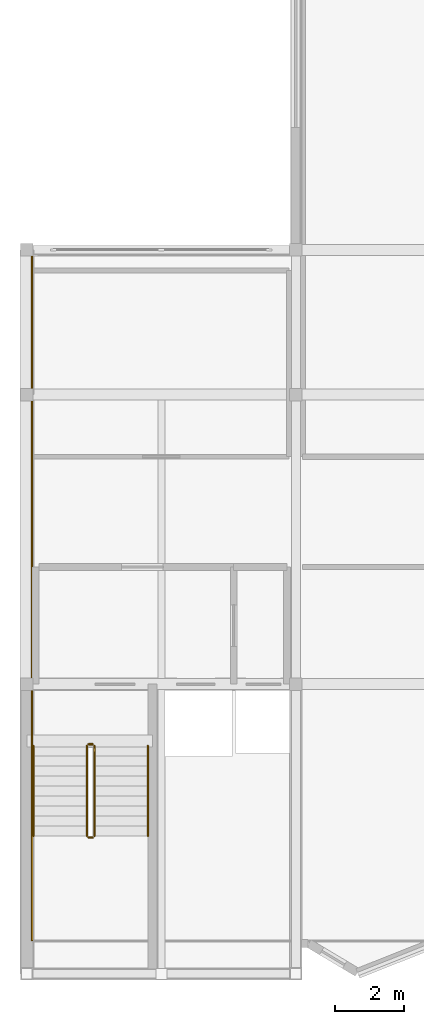
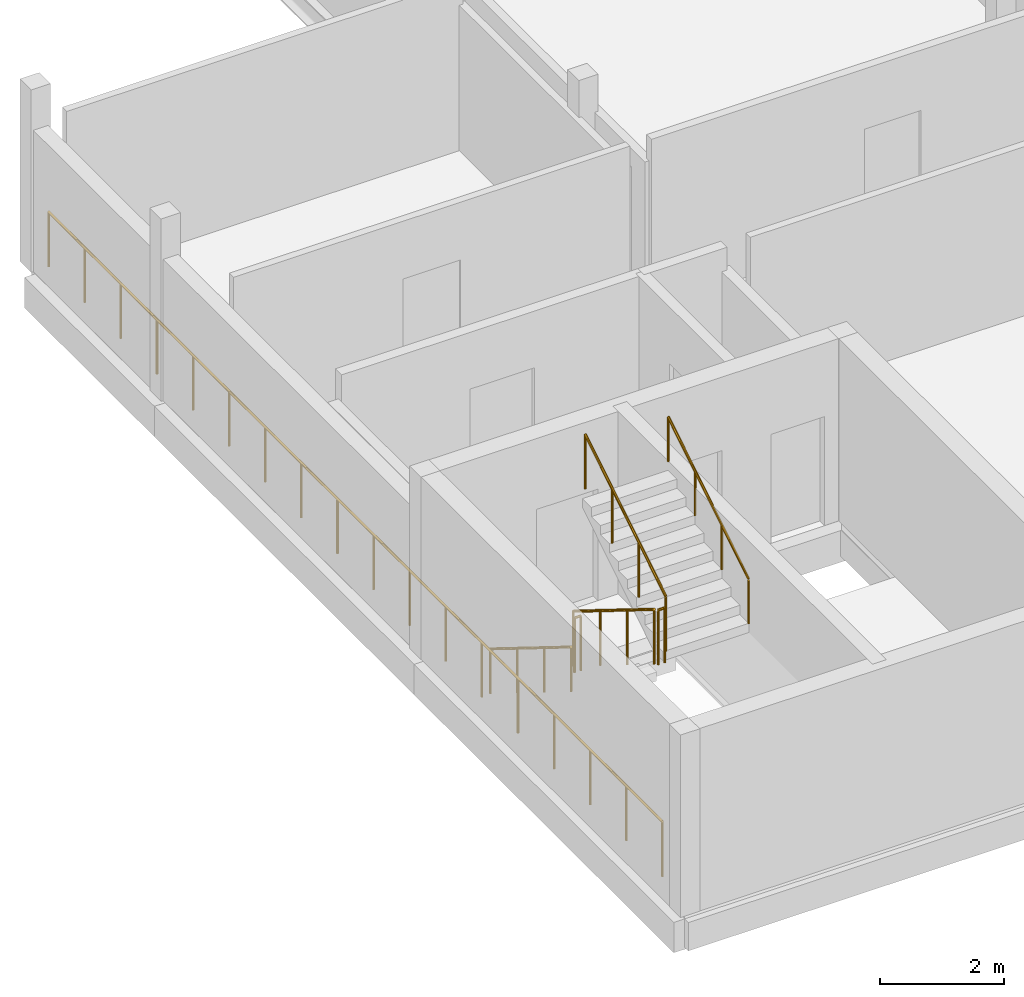
# One storey, part 8 of 11: 7 railings.
"""IFC4 building model written with IfcOpenShell, lengths in metres."""

from ifc_helpers import new_model, si_unit, direction, frame, origin, origin_2d, place, context, subcontext, project, spatial, circle, extrude, material, type_object, element, save


model = new_model("IFC4")

# Units and contexts
model_context = context("Model", 3, precision=1e-05, world=origin(), true_north=direction((0.0, 1.0)))
body_context = subcontext(model_context, "Body", "Model", "MODEL_VIEW")
ifc_project = project(units=[si_unit("LENGTHUNIT", "METRE"), si_unit("AREAUNIT", "SQUARE_METRE"), si_unit("VOLUMEUNIT", "CUBIC_METRE"), si_unit("PLANEANGLEUNIT", "RADIAN"), si_unit("MASSUNIT", "GRAM", prefix="KILO")], contexts=[model_context])

# Site, building, storey
site_placement = place(None, origin())
site = spatial("IfcSite", under=ifc_project, at=site_placement, CompositionType="ELEMENT")
building_placement = place(site_placement, origin())
building = spatial("IfcBuilding", under=site, at=building_placement, Name="Vharandega Faculty of Natural Sciences", CompositionType="ELEMENT")
storey_placement = place(building_placement, frame((0.0, 0.0, 39.60009765625)))
storey = spatial("IfcBuildingStorey", under=building, at=storey_placement, Name="L10", CompositionType="ELEMENT", Elevation=39.60009765625)

# Railings
ifc_material_1 = material(Name="Brushed stainless steel handrail", Category="steel")
railing_type_1 = type_object("IfcRailingType", Name="Stair Tubular Handrail 900", PredefinedType="HANDRAIL", material=ifc_material_1)
railing_1_placement = place(storey_placement, frame((114.989990234375, 70.610107421875, 0.179931640625)))
element("IfcRailing", 1, at=railing_1_placement, inside=storey, type_object=railing_type_1, Name="L10 ST1 stair handrail 1", PredefinedType="HANDRAIL", context=body_context, shape_type="SweptSolid", body=[
    extrude(circle(Radius=0.02392578125, at=origin_2d()), frame((0.0, 0.0, 0.8759765625), z_axis=(0.0, -0.849668407637, 0.527317358963), x_axis=(1.0, 0.0, 0.0)), (0.0, 0.0, 1.0), 3.072021484375),
    extrude(circle(Radius=0.02099609375, at=origin_2d()), origin(), (0.0, 0.0, 1.0), 0.851806640625),
    extrude(circle(Radius=0.02099609375, at=origin_2d()), frame((0.0, -0.8701171875, 0.5400390625)), (0.0, 0.0, 1.0), 0.851806640625),
    extrude(circle(Radius=0.02099609375, at=origin_2d()), frame((0.0, -1.739990234375, 1.079833984375)), (0.0, 0.0, 1.0), 0.851806640625),
    extrude(circle(Radius=0.02099609375, at=origin_2d()), frame((0.0, -2.610107421875, 1.619873046875)), (0.0, 0.0, 1.0), 0.851806640625),
])
railing_2_placement = place(storey_placement, frame((118.31005859375, 68.0, 1.97998046875)))
element("IfcRailing", 2, at=railing_2_placement, inside=storey, type_object=railing_type_1, Name="L10 ST1 stair handrail 2", PredefinedType="HANDRAIL", context=body_context, shape_type="SweptSolid", body=[
    extrude(circle(Radius=0.02392578125, at=origin_2d()), frame((0.0, 0.0, 0.8759765625), z_axis=(0.0, 0.849668407637, 0.527317358963), x_axis=(-1.0, 0.0, 0.0)), (0.0, 0.0, 1.0), 3.072021484375),
    extrude(circle(Radius=0.02099609375, at=origin_2d()), origin(), (0.0, 0.0, 1.0), 0.851806640625),
    extrude(circle(Radius=0.02099609375, at=origin_2d()), frame((0.0, 0.8701171875, 0.5400390625)), (0.0, 0.0, 1.0), 0.851806640625),
    extrude(circle(Radius=0.02099609375, at=origin_2d()), frame((0.0, 1.739990234375, 1.079833984375)), (0.0, 0.0, 1.0), 0.851806640625),
    extrude(circle(Radius=0.02099609375, at=origin_2d()), frame((0.0, 2.610107421875, 1.619873046875)), (0.0, 0.0, 1.0), 0.851806640625),
])
ifc_material_2 = material(Name="Painted steel stair guardrail", Category="steel")
railing_type_2 = type_object("IfcRailingType", Name="Stairwell Steel Guardrail 1100", PredefinedType="GUARDRAIL", material=ifc_material_2)
railing_3_placement = place(storey_placement, frame((116.5400390625, 70.610107421875, 0.179931640625)))
element("IfcRailing", 3, at=railing_3_placement, inside=storey, type_object=railing_type_2, Name="L10 ST1 stair guard 1", PredefinedType="GUARDRAIL", context=body_context, shape_type="SweptSolid", body=[
    extrude(circle(Radius=0.02392578125, at=origin_2d()), frame((0.0, 0.0, 1.076171875), z_axis=(0.0, -0.849668407637, 0.527317358963), x_axis=(1.0, 0.0, 0.0)), (0.0, 0.0, 1.0), 3.072021484375),
    extrude(circle(Radius=0.02099609375, at=origin_2d()), origin(), (0.0, 0.0, 1.0), 1.052001953125),
    extrude(circle(Radius=0.02099609375, at=origin_2d()), frame((0.0, -0.8701171875, 0.5400390625)), (0.0, 0.0, 1.0), 1.052001953125),
    extrude(circle(Radius=0.02099609375, at=origin_2d()), frame((0.0, -1.739990234375, 1.079833984375)), (0.0, 0.0, 1.0), 1.052001953125),
    extrude(circle(Radius=0.02099609375, at=origin_2d()), frame((0.0, -2.610107421875, 1.619873046875)), (0.0, 0.0, 1.0), 1.052001953125),
])
railing_4_placement = place(storey_placement, frame((116.590087890625, 67.949951171875, 1.7998046875)))
element("IfcRailing", 4, at=railing_4_placement, inside=storey, type_object=railing_type_2, Name="L10 ST1 stair guard 2", PredefinedType="GUARDRAIL", context=body_context, shape_type="SweptSolid", body=[
    extrude(circle(Radius=0.02392578125, at=origin_2d()), frame((0.0, 0.0, 1.076171875), z_axis=(1.0, 0.0, 0.0), x_axis=(0.0, 1.0, 0.0)), (0.0, 0.0, 1.0), 0.119873046875),
    extrude(circle(Radius=0.02099609375, at=origin_2d()), origin(), (0.0, 0.0, 1.0), 1.052001953125),
    extrude(circle(Radius=0.02099609375, at=origin_2d()), frame((0.119873046875, 0.0, 0.0)), (0.0, 0.0, 1.0), 1.052001953125),
])
railing_5_placement = place(storey_placement, frame((116.760009765625, 68.0, 1.97998046875)))
element("IfcRailing", 5, at=railing_5_placement, inside=storey, type_object=railing_type_2, Name="L10 ST1 stair guard 3", PredefinedType="GUARDRAIL", context=body_context, shape_type="SweptSolid", body=[
    extrude(circle(Radius=0.02392578125, at=origin_2d()), frame((0.0, 0.0, 1.076171875), z_axis=(0.0, 0.849668407637, 0.527317358963), x_axis=(-1.0, 0.0, 0.0)), (0.0, 0.0, 1.0), 3.072021484375),
    extrude(circle(Radius=0.02099609375, at=origin_2d()), origin(), (0.0, 0.0, 1.0), 1.052001953125),
    extrude(circle(Radius=0.02099609375, at=origin_2d()), frame((0.0, 0.8701171875, 0.5400390625)), (0.0, 0.0, 1.0), 1.052001953125),
    extrude(circle(Radius=0.02099609375, at=origin_2d()), frame((0.0, 1.739990234375, 1.079833984375)), (0.0, 0.0, 1.0), 1.052001953125),
    extrude(circle(Radius=0.02099609375, at=origin_2d()), frame((0.0, 2.610107421875, 1.619873046875)), (0.0, 0.0, 1.0), 1.052001953125),
])
railing_6_placement = place(storey_placement, frame((116.590087890625, 70.659912109375, 0.0)))
element("IfcRailing", 6, at=railing_6_placement, inside=storey, type_object=railing_type_2, Name="L10 ST1 stair guard 4", PredefinedType="GUARDRAIL", context=body_context, shape_type="SweptSolid", body=[
    extrude(circle(Radius=0.02392578125, at=origin_2d()), frame((0.0, 0.0, 1.076171875), z_axis=(1.0, 0.0, 0.0), x_axis=(0.0, 1.0, 0.0)), (0.0, 0.0, 1.0), 0.119873046875),
    extrude(circle(Radius=0.02099609375, at=origin_2d()), origin(), (0.0, 0.0, 1.0), 1.052001953125),
    extrude(circle(Radius=0.02099609375, at=origin_2d()), frame((0.119873046875, 0.0, 0.0)), (0.0, 0.0, 1.0), 1.052001953125),
])
ifc_material_3 = material(Name="Galvanised painted steel balustrade", Category="steel")
railing_type_3 = type_object("IfcRailingType", Name="Terrace Steel Guardrail 1100", PredefinedType="GUARDRAIL", material=ifc_material_3)
railing_7_placement = place(storey_placement, frame((114.949951171875, 84.824951171875, 0.0)))
element("IfcRailing", 7, at=railing_7_placement, inside=storey, type_object=railing_type_3, Name="Perimeter Sill Guard L10 #6", PredefinedType="GUARDRAIL", context=body_context, shape_type="SweptSolid", body=[
    extrude(circle(Radius=0.02392578125, at=origin_2d()), frame((0.0, 0.0, 1.076171875), z_axis=(0.0, -1.0, 0.0), x_axis=(1.0, 0.0, 0.0)), (0.0, 0.0, 1.0), 19.849853515625),
    extrude(circle(Radius=0.02099609375, at=origin_2d()), origin(), (0.0, 0.0, 1.0), 1.052001953125),
    extrude(circle(Radius=0.02099609375, at=origin_2d()), frame((0.0, -1.167724609375, 0.0)), (0.0, 0.0, 1.0), 1.052001953125),
    extrude(circle(Radius=0.02099609375, at=origin_2d()), frame((0.0, -2.335205078125, 0.0)), (0.0, 0.0, 1.0), 1.052001953125),
    extrude(circle(Radius=0.02099609375, at=origin_2d()), frame((0.0, -3.5029296875, 0.0)), (0.0, 0.0, 1.0), 1.052001953125),
    extrude(circle(Radius=0.02099609375, at=origin_2d()), frame((0.0, -4.670654296875, 0.0)), (0.0, 0.0, 1.0), 1.052001953125),
    extrude(circle(Radius=0.02099609375, at=origin_2d()), frame((0.0, -5.838134765625, 0.0)), (0.0, 0.0, 1.0), 1.052001953125),
    extrude(circle(Radius=0.02099609375, at=origin_2d()), frame((0.0, -7.005859375, 0.0)), (0.0, 0.0, 1.0), 1.052001953125),
    extrude(circle(Radius=0.02099609375, at=origin_2d()), frame((0.0, -8.173583984375, 0.0)), (0.0, 0.0, 1.0), 1.052001953125),
    extrude(circle(Radius=0.02099609375, at=origin_2d()), frame((0.0, -9.341064453125, 0.0)), (0.0, 0.0, 1.0), 1.052001953125),
    extrude(circle(Radius=0.02099609375, at=origin_2d()), frame((0.0, -10.5087890625, 0.0)), (0.0, 0.0, 1.0), 1.052001953125),
    extrude(circle(Radius=0.02099609375, at=origin_2d()), frame((0.0, -11.67626953125, 0.0)), (0.0, 0.0, 1.0), 1.052001953125),
    extrude(circle(Radius=0.02099609375, at=origin_2d()), frame((0.0, -12.843994140625, 0.0)), (0.0, 0.0, 1.0), 1.052001953125),
    extrude(circle(Radius=0.02099609375, at=origin_2d()), frame((0.0, -14.01171875, 0.0)), (0.0, 0.0, 1.0), 1.052001953125),
    extrude(circle(Radius=0.02099609375, at=origin_2d()), frame((0.0, -15.17919921875, 0.0)), (0.0, 0.0, 1.0), 1.052001953125),
    extrude(circle(Radius=0.02099609375, at=origin_2d()), frame((0.0, -16.346923828125, 0.0)), (0.0, 0.0, 1.0), 1.052001953125),
    extrude(circle(Radius=0.02099609375, at=origin_2d()), frame((0.0, -17.5146484375, 0.0)), (0.0, 0.0, 1.0), 1.052001953125),
    extrude(circle(Radius=0.02099609375, at=origin_2d()), frame((0.0, -18.68212890625, 0.0)), (0.0, 0.0, 1.0), 1.052001953125),
    extrude(circle(Radius=0.02099609375, at=origin_2d()), frame((0.0, -19.849853515625, 0.0)), (0.0, 0.0, 1.0), 1.052001953125),
])

save(model, "model.ifc")
